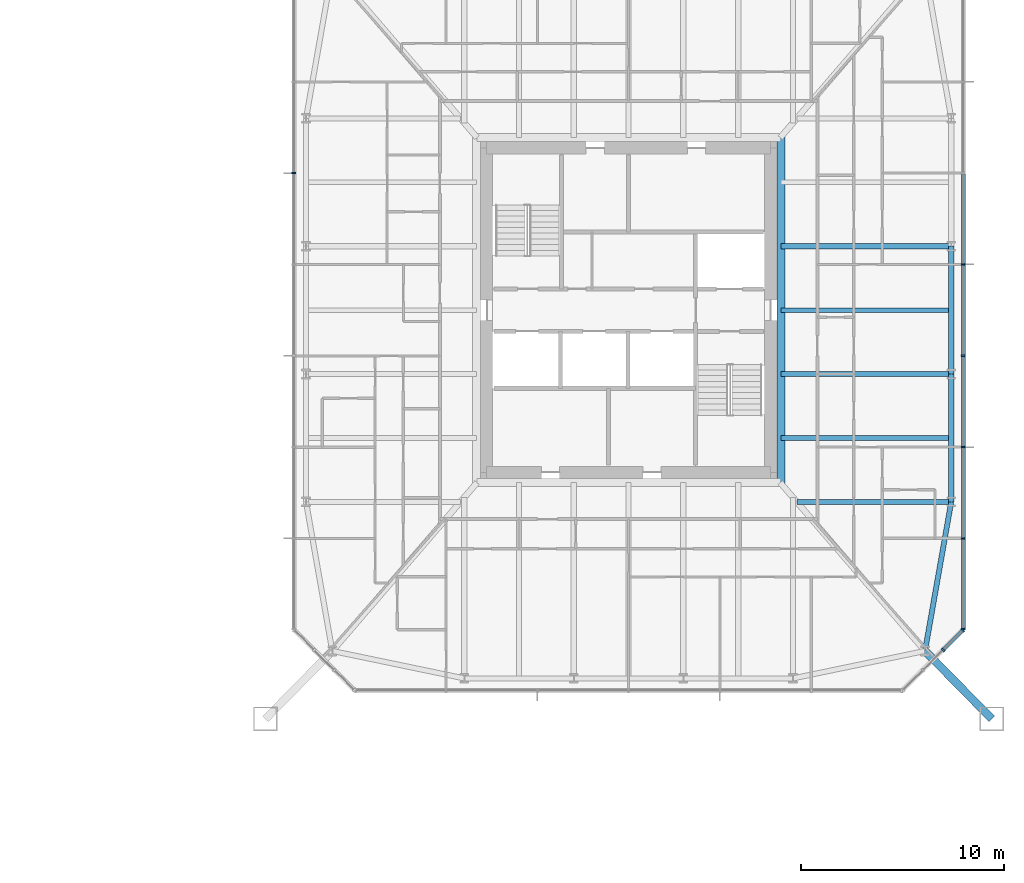
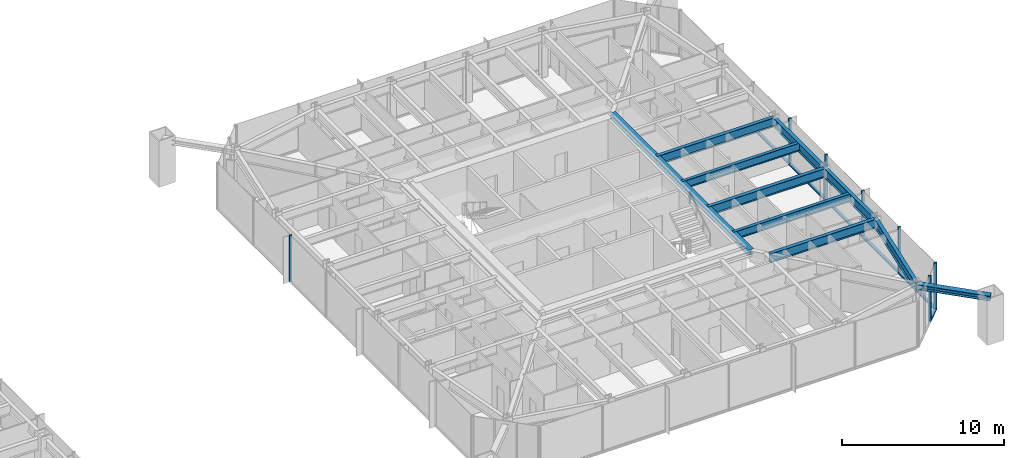
# One storey, part 9 of 26: 15 members, 9 beams, 3 elements without a shape of their own.
"""IFC4 building model written with IfcOpenShell, lengths in metres."""

from ifc_helpers import new_model, si_unit, direction, frame, origin, origin_2d, place, context, subcontext, project, spatial, rectangle, i_section, extrude, material, material_profile, profile_set, type_object, element, aggregate, save


model = new_model("IFC4")

# Units and contexts
model_context = context("Model", 3, precision=1e-05, world=origin(), true_north=direction((0.0, 1.0)))
body_context = subcontext(model_context, "Body", "Model", "MODEL_VIEW")
ifc_project = project(units=[si_unit("LENGTHUNIT", "METRE"), si_unit("AREAUNIT", "SQUARE_METRE"), si_unit("VOLUMEUNIT", "CUBIC_METRE"), si_unit("PLANEANGLEUNIT", "RADIAN"), si_unit("MASSUNIT", "GRAM", prefix="KILO")], contexts=[model_context])

# Site, building, storey
site_placement = place(None, origin())
site = spatial("IfcSite", under=ifc_project, at=site_placement, CompositionType="ELEMENT")
building_placement = place(site_placement, origin())
building = spatial("IfcBuilding", under=site, at=building_placement, Name="Iwan Alto Co-Living Towers", CompositionType="ELEMENT")
storey_placement = place(building_placement, frame((0.0, 0.0, 46.5)))
storey = spatial("IfcBuildingStorey", under=building, at=storey_placement, Name="L12", CompositionType="ELEMENT", Elevation=46.5)

# Curtain wall, members
ifc_material_1 = material(Name="Bronze aluminium unitised frame", Category="aluminium")
curtain_wall_type_1 = type_object("IfcCurtainWallType", Name="CURTAIN WALL CW-C", PredefinedType="NOTDEFINED", material=ifc_material_1)
curtain_wall_1_placement = place(storey_placement, origin())
curtain_wall_1 = element("IfcCurtainWall", 1, at=curtain_wall_1_placement, inside=storey, type_object=curtain_wall_type_1, Name="T2 curtain wall E L12", PredefinedType="NOTDEFINED")
ifc_material_2 = material(Name="Aluminium 6063-T6 bronze anodised", Category="aluminium")
ifc_material_profile_1 = material_profile(ifc_material_2, rectangle(XDim=0.199951171875, YDim=0.080078125, at=origin_2d()), Name="AL 80X200")
ifc_profile_set_1 = profile_set([ifc_material_profile_1], Name="Aluminium 6063-T6 bronze anodised")
member_type_1 = type_object("IfcMemberType", Name="CW-C MULLION 80X200", PredefinedType="MULLION", material=ifc_profile_set_1)
member_1_placement = place(storey_placement, frame((79.5, -15.7099609375, 0.0), z_axis=(0.0, 0.0, 1.0), x_axis=(-1.0, 0.0, 0.0)))
member_1 = element("IfcMember", 2, at=member_1_placement, type_object=member_type_1, Name="CW-C mullion 1", PredefinedType="MULLION", context=body_context, shape_type="SweptSolid", body=[
    extrude(rectangle(XDim=0.199951171875, YDim=0.080078125, at=origin_2d()), origin(), (0.0, 0.0, 1.0), 3.5),
])
member_2_placement = place(storey_placement, frame((79.5, -11.25, 0.0), z_axis=(0.0, 0.0, 1.0), x_axis=(-1.0, 0.0, 0.0)))
member_2 = element("IfcMember", 3, at=member_2_placement, type_object=member_type_1, Name="CW-C mullion 2", PredefinedType="MULLION", context=body_context, shape_type="SweptSolid", body=[
    extrude(rectangle(XDim=0.199951171875, YDim=0.080078125, at=origin_2d()), origin(), (0.0, 0.0, 1.0), 3.5),
])
member_3_placement = place(storey_placement, frame((79.5, -6.75, 0.0), z_axis=(0.0, 0.0, 1.0), x_axis=(-1.0, 0.0, 0.0)))
member_3 = element("IfcMember", 4, at=member_3_placement, type_object=member_type_1, Name="CW-C mullion 3", PredefinedType="MULLION", context=body_context, shape_type="SweptSolid", body=[
    extrude(rectangle(XDim=0.199951171875, YDim=0.080078125, at=origin_2d()), origin(), (0.0, 0.0, 1.0), 3.5),
])
member_4_placement = place(storey_placement, frame((79.5, -2.25, 0.0), z_axis=(0.0, 0.0, 1.0), x_axis=(-1.0, 0.0, 0.0)))
member_4 = element("IfcMember", 5, at=member_4_placement, type_object=member_type_1, Name="CW-C mullion 4", PredefinedType="MULLION", context=body_context, shape_type="SweptSolid", body=[
    extrude(rectangle(XDim=0.199951171875, YDim=0.080078125, at=origin_2d()), origin(), (0.0, 0.0, 1.0), 3.5),
])
member_5_placement = place(storey_placement, frame((79.5, 2.25, 0.0), z_axis=(0.0, 0.0, 1.0), x_axis=(-1.0, 0.0, 0.0)))
member_5 = element("IfcMember", 6, at=member_5_placement, type_object=member_type_1, Name="CW-C mullion 5", PredefinedType="MULLION", context=body_context, shape_type="SweptSolid", body=[
    extrude(rectangle(XDim=0.199951171875, YDim=0.080078125, at=origin_2d()), origin(), (0.0, 0.0, 1.0), 3.5),
])

# Curtain wall, member
curtain_wall_2_placement = place(storey_placement, origin())
curtain_wall_2 = element("IfcCurtainWall", 7, at=curtain_wall_2_placement, inside=storey, type_object=curtain_wall_type_1, Name="T2 curtain wall W L12", PredefinedType="NOTDEFINED")
member_6_placement = place(storey_placement, frame((46.5, 6.75, 0.0), z_axis=(0.0, 0.0, 1.0), x_axis=(1.0, 0.0, 0.0)))
member_6 = element("IfcMember", 8, at=member_6_placement, type_object=member_type_1, Name="CW-C mullion 3", PredefinedType="MULLION", context=body_context, shape_type="SweptSolid", body=[
    extrude(rectangle(XDim=0.199951171875, YDim=0.080078125, at=origin_2d()), origin(), (0.0, 0.0, 1.0), 3.5),
])
aggregate(curtain_wall_2, [member_6])

# Member
ifc_material_3 = material(Name="Aluminium 6063-T6 bronze anodised", Category="aluminium")
ifc_material_profile_2 = material_profile(ifc_material_3, rectangle(XDim=0.199951171875, YDim=0.10009765625, at=origin_2d()), Name="AL 200X100")
ifc_profile_set_2 = profile_set([ifc_material_profile_2], Name="Aluminium 6063-T6 bronze anodised")
member_type_2 = type_object("IfcMemberType", Name="CW-C TRANSOM 200X100", PredefinedType="USERDEFINED", material=ifc_profile_set_2)
member_7_placement = place(storey_placement, frame((79.5, -15.669921875, 0.050048828125), z_axis=(0.0, 1.0, 0.0), x_axis=(-1.0, 0.0, 0.0)))
member_7 = element("IfcMember", 9, at=member_7_placement, type_object=member_type_2, Name="CW-C transom 1.1", ObjectType="TRANSOM", PredefinedType="USERDEFINED", context=body_context, shape_type="SweptSolid", body=[
    extrude(rectangle(XDim=0.199951171875, YDim=0.10009765625, at=origin_2d()), origin(), (0.0, 0.0, 1.0), 4.3798828125),
])

member_8_placement = place(storey_placement, frame((79.5, -11.2099609375, 0.050048828125), z_axis=(0.0, 1.0, 0.0), x_axis=(-1.0, 0.0, 0.0)))
member_8 = element("IfcMember", 10, at=member_8_placement, type_object=member_type_2, Name="CW-C transom 2.1", ObjectType="TRANSOM", PredefinedType="USERDEFINED", context=body_context, shape_type="SweptSolid", body=[
    extrude(rectangle(XDim=0.199951171875, YDim=0.10009765625, at=origin_2d()), origin(), (0.0, 0.0, 1.0), 4.419921875),
])

member_9_placement = place(storey_placement, frame((79.5, -6.7099609375, 0.050048828125), z_axis=(0.0, 1.0, 0.0), x_axis=(-1.0, 0.0, 0.0)))
member_9 = element("IfcMember", 11, at=member_9_placement, type_object=member_type_2, Name="CW-C transom 3.1", ObjectType="TRANSOM", PredefinedType="USERDEFINED", context=body_context, shape_type="SweptSolid", body=[
    extrude(rectangle(XDim=0.199951171875, YDim=0.10009765625, at=origin_2d()), origin(), (0.0, 0.0, 1.0), 4.419921875),
])

member_10_placement = place(storey_placement, frame((79.5, -2.2099609375, 0.050048828125), z_axis=(0.0, 1.0, 0.0), x_axis=(-1.0, 0.0, 0.0)))
member_10 = element("IfcMember", 12, at=member_10_placement, type_object=member_type_2, Name="CW-C transom 4.1", ObjectType="TRANSOM", PredefinedType="USERDEFINED", context=body_context, shape_type="SweptSolid", body=[
    extrude(rectangle(XDim=0.199951171875, YDim=0.10009765625, at=origin_2d()), origin(), (0.0, 0.0, 1.0), 4.419921875),
])

member_11_placement = place(storey_placement, frame((79.5, 2.2900390625, 0.050048828125), z_axis=(0.0, 1.0, 0.0), x_axis=(-1.0, 0.0, 0.0)))
member_11 = element("IfcMember", 13, at=member_11_placement, type_object=member_type_2, Name="CW-C transom 5.1", ObjectType="TRANSOM", PredefinedType="USERDEFINED", context=body_context, shape_type="SweptSolid", body=[
    extrude(rectangle(XDim=0.199951171875, YDim=0.10009765625, at=origin_2d()), origin(), (0.0, 0.0, 1.0), 4.419921875),
])

aggregate(curtain_wall_1, [member_1, member_2, member_3, member_4, member_5, member_7, member_8, member_9, member_10, member_11])

# Curtain wall, members
ifc_material_4 = material(Name="Bronze aluminium unitised frame", Category="aluminium")
curtain_wall_type_2 = type_object("IfcCurtainWallType", Name="CURTAIN WALL CW-D", PredefinedType="NOTDEFINED", material=ifc_material_4)
curtain_wall_3_placement = place(storey_placement, origin())
curtain_wall_3 = element("IfcCurtainWall", 14, at=curtain_wall_3_placement, inside=storey, type_object=curtain_wall_type_2, Name="T2 chamfer curtain wall SE L12", PredefinedType="NOTDEFINED")
ifc_material_5 = material(Name="Aluminium 6063-T6 bronze anodised", Category="aluminium")
ifc_material_profile_3 = material_profile(ifc_material_5, rectangle(XDim=0.199951171875, YDim=0.080078125, at=origin_2d()), Name="AL 80X200")
ifc_profile_set_3 = profile_set([ifc_material_profile_3], Name="Aluminium 6063-T6 bronze anodised")
member_type_3 = type_object("IfcMemberType", Name="CW-D MULLION 80X200", PredefinedType="MULLION", material=ifc_profile_set_3)
member_12_placement = place(storey_placement, frame((78.5, -16.75, 0.0), z_axis=(0.0, 0.0, 1.0), x_axis=(-0.707106781187, 0.707106781187, 0.0)))
member_12 = element("IfcMember", 15, at=member_12_placement, type_object=member_type_3, Name="CW-D mullion 3", PredefinedType="MULLION", context=body_context, shape_type="SweptSolid", body=[
    extrude(rectangle(XDim=0.199951171875, YDim=0.080078125, at=origin_2d()), origin(), (0.0, 0.0, 1.0), 3.5),
])
member_13_placement = place(storey_placement, frame((79.4716796875, -15.7783203125, 0.0), z_axis=(0.0, 0.0, 1.0), x_axis=(-0.707106781187, 0.707106781187, 0.0)))
member_13 = element("IfcMember", 16, at=member_13_placement, type_object=member_type_3, Name="CW-D mullion 4", PredefinedType="MULLION", context=body_context, shape_type="SweptSolid", body=[
    extrude(rectangle(XDim=0.199951171875, YDim=0.080078125, at=origin_2d()), origin(), (0.0, 0.0, 1.0), 3.5),
])
ifc_material_6 = material(Name="Aluminium 6063-T6 bronze anodised", Category="aluminium")
ifc_material_profile_4 = material_profile(ifc_material_6, rectangle(XDim=0.199951171875, YDim=0.10009765625, at=origin_2d()), Name="AL 200X100")
ifc_profile_set_4 = profile_set([ifc_material_profile_4], Name="Aluminium 6063-T6 bronze anodised")
member_type_4 = type_object("IfcMemberType", Name="CW-D TRANSOM 200X100", PredefinedType="USERDEFINED", material=ifc_profile_set_4)
member_14_placement = place(storey_placement, frame((78.5283203125, -16.7216796875, 0.050048828125), z_axis=(0.707106781187, 0.707106781187, 0.0), x_axis=(-0.707106781187, 0.707106781187, 0.0)))
member_14 = element("IfcMember", 17, at=member_14_placement, type_object=member_type_4, Name="CW-D transom 3.1", ObjectType="TRANSOM", PredefinedType="USERDEFINED", context=body_context, shape_type="SweptSolid", body=[
    extrude(rectangle(XDim=0.199951171875, YDim=0.10009765625, at=origin_2d()), origin(), (0.0, 0.0, 1.0), 1.2939453125),
])
aggregate(curtain_wall_3, [member_12, member_13, member_14])

# Beams
ifc_material_7 = material(Name="Steel ASTM A992 Gr 50", Category="steel")
ifc_material_profile_5 = material_profile(ifc_material_7, i_section(OverallWidth=0.40380859375, OverallDepth=0.406494140625, WebThickness=0.027099609375, FlangeThickness=0.043701171875, at=origin_2d()), Name="W14X233")
ifc_profile_set_5 = profile_set([ifc_material_profile_5], Name="Steel ASTM A992 Gr 50")
beam_type_1 = type_object("IfcBeamType", Name="T2 CORE LEDGER BEAM W14X233", PredefinedType="BEAM", material=ifc_profile_set_5)
beam_1_placement = place(storey_placement, frame((70.501953125, -8.534912109375, 3.06689453125), z_axis=(0.0, 1.0, 0.0), x_axis=(-1.0, 0.0, 0.0)))
element("IfcBeam", 18, at=beam_1_placement, inside=storey, type_object=beam_type_1, Name="T2 core ledger beam E L13", PredefinedType="BEAM", context=body_context, shape_type="SweptSolid", body=[
    extrude(i_section(OverallWidth=0.40380859375, OverallDepth=0.406494140625, WebThickness=0.027099609375, FlangeThickness=0.043701171875, at=origin_2d()), origin(), (0.0, 0.0, 1.0), 17.06982421875),
])
ifc_material_8 = material(Name="Steel ASTM A992 Gr 50", Category="steel")
ifc_material_profile_6 = material_profile(ifc_material_8, i_section(OverallWidth=0.25390625, OverallDepth=0.683349609375, WebThickness=0.012451171875, FlangeThickness=0.018798828125, at=origin_2d()), Name="W27X94")
ifc_profile_set_6 = profile_set([ifc_material_profile_6], Name="Steel ASTM A992 Gr 50")
beam_type_2 = type_object("IfcBeamType", Name="T2 EDGE BEAM W27X94", PredefinedType="BEAM", material=ifc_profile_set_6)
beam_2_placement = place(storey_placement, frame((77.606201171875, -16.797119140625, 2.928466796875), z_axis=(0.173413807283, 0.98484905008, 0.0), x_axis=(-0.98484905008, 0.173413807283, 0.0)))
element("IfcBeam", 19, at=beam_2_placement, inside=storey, type_object=beam_type_2, Name="T2 edge beam CSE L13", PredefinedType="BEAM", context=body_context, shape_type="SweptSolid", body=[
    extrude(i_section(OverallWidth=0.25390625, OverallDepth=0.683349609375, WebThickness=0.012451171875, FlangeThickness=0.018798828125, at=origin_2d()), origin(), (0.0, 0.0, 1.0), 7.460205078125),
])
beam_3_placement = place(storey_placement, frame((78.89990234375, -9.449951171875, 2.928466796875), z_axis=(0.0, 1.0, 0.0), x_axis=(-1.0, 0.0, 0.0)))
element("IfcBeam", 20, at=beam_3_placement, inside=storey, type_object=beam_type_2, Name="T2 edge beam E1 L13", PredefinedType="BEAM", context=body_context, shape_type="SweptSolid", body=[
    extrude(i_section(OverallWidth=0.25390625, OverallDepth=0.683349609375, WebThickness=0.012451171875, FlangeThickness=0.018798828125, at=origin_2d()), origin(), (0.0, 0.0, 1.0), 6.300048828125),
])
beam_4_placement = place(storey_placement, frame((78.89990234375, -3.14990234375, 2.928466796875), z_axis=(0.0, 1.0, 0.0), x_axis=(-1.0, 0.0, 0.0)))
element("IfcBeam", 21, at=beam_4_placement, inside=storey, type_object=beam_type_2, Name="T2 edge beam E2 L13", PredefinedType="BEAM", context=body_context, shape_type="SweptSolid", body=[
    extrude(i_section(OverallWidth=0.25390625, OverallDepth=0.683349609375, WebThickness=0.012451171875, FlangeThickness=0.018798828125, at=origin_2d()), origin(), (0.0, 0.0, 1.0), 6.2998046875),
])

# Member
ifc_material_9 = material(Name="Steel ASTM A992 Gr 50", Category="steel")
ifc_material_profile_7 = material_profile(ifc_material_9, i_section(OverallWidth=0.393798828125, OverallDepth=0.3759765625, WebThickness=0.017333984375, FlangeThickness=0.027587890625, at=origin_2d()), Name="W14X145")
ifc_profile_set_7 = profile_set([ifc_material_profile_7], Name="Steel ASTM A992 Gr 50")
member_type_5 = type_object("IfcMemberType", Name="T2 MEGA COLUMN FLOOR TIE W14X145", PredefinedType="STRUT", material=ifc_profile_set_7)
member_15_placement = place(storey_placement, frame((80.89990234375, -20.14990234375, 3.08203125), z_axis=(-0.700793469544, 0.71336422187, 0.0), x_axis=(-0.71336422187, -0.700793469544, 0.0)))
element("IfcMember", 22, at=member_15_placement, inside=storey, type_object=member_type_5, Name="T2 mega column floor tie SE L13", PredefinedType="STRUT", context=body_context, shape_type="SweptSolid", body=[
    extrude(i_section(OverallWidth=0.393798828125, OverallDepth=0.3759765625, WebThickness=0.017333984375, FlangeThickness=0.027587890625, at=origin_2d()), origin(), (0.0, 0.0, 1.0), 4.699951171875),
])

# Beams
ifc_material_10 = material(Name="Steel ASTM A992 Gr 50", Category="steel")
ifc_material_profile_8 = material_profile(ifc_material_10, i_section(OverallWidth=0.25390625, OverallDepth=0.683349609375, WebThickness=0.012451171875, FlangeThickness=0.018798828125, at=origin_2d()), Name="W27X94")
ifc_profile_set_8 = profile_set([ifc_material_profile_8], Name="Steel ASTM A992 Gr 50")
beam_type_3 = type_object("IfcBeamType", Name="T2 RADIAL BEAM W27X94", PredefinedType="BEAM", material=ifc_profile_set_8)
beam_5_placement = place(storey_placement, frame((78.89990234375, -9.449951171875, 2.928466796875), z_axis=(-1.0, 0.0, 0.0), x_axis=(0.0, -1.0, 0.0)))
element("IfcBeam", 23, at=beam_5_placement, inside=storey, type_object=beam_type_3, Name="T2 radial beam E1 L13", PredefinedType="BEAM", context=body_context, shape_type="SweptSolid", body=[
    extrude(i_section(OverallWidth=0.25390625, OverallDepth=0.683349609375, WebThickness=0.012451171875, FlangeThickness=0.018798828125, at=origin_2d()), origin(), (0.0, 0.0, 1.0), 7.611083984375),
])
for number, where, z_axis, x_axis, name in (
    (24, (78.89990234375, -3.14990234375, 2.928466796875), (-1.0, 0.0, 0.0), (0.0, -1.0, 0.0), "T2 radial beam E2 L13"),
    (25, (78.89990234375, 3.14990234375, 2.928466796875), (-1.0, 0.0, 0.0), (0.0, -1.0, 0.0), "T2 radial beam E3 L13"),
):
    element("IfcBeam", number, at=place(storey_placement, frame(where, z_axis=z_axis, x_axis=x_axis)), inside=storey, type_object=beam_type_3, Name=name, PredefinedType="BEAM", context=body_context, shape_type="SweptSolid", body=[
        extrude(i_section(OverallWidth=0.25390625, OverallDepth=0.683349609375, WebThickness=0.012451171875, FlangeThickness=0.018798828125, at=origin_2d()), origin(), (0.0, 0.0, 1.0), 8.39794921875),
    ])
ifc_material_11 = material(Name="Steel ASTM A992 Gr 50", Category="steel")
ifc_material_profile_9 = material_profile(ifc_material_11, i_section(OverallWidth=0.228271484375, OverallDepth=0.607177734375, WebThickness=0.01123046875, FlangeThickness=0.017333984375, at=origin_2d()), Name="W24X76")
ifc_profile_set_9 = profile_set([ifc_material_profile_9], Name="Steel ASTM A992 Gr 50")
beam_type_4 = type_object("IfcBeamType", Name="T2 SECONDARY BEAM W24X76", PredefinedType="JOIST", material=ifc_profile_set_9)
for number, where, z_axis, x_axis, name in (
    (26, (78.89990234375, -6.300048828125, 2.966552734375), (-1.0, 0.0, 0.0), (0.0, -1.0, 0.0), "T2 secondary beam E1 L13"),
    (27, (78.89990234375, 0.0, 2.966552734375), (-1.0, 0.0, 0.0), (0.0, -1.0, 0.0), "T2 secondary beam E2 L13"),
):
    element("IfcBeam", number, at=place(storey_placement, frame(where, z_axis=z_axis, x_axis=x_axis)), inside=storey, type_object=beam_type_4, Name=name, PredefinedType="JOIST", context=body_context, shape_type="SweptSolid", body=[
        extrude(i_section(OverallWidth=0.228271484375, OverallDepth=0.607177734375, WebThickness=0.01123046875, FlangeThickness=0.017333984375, at=origin_2d()), origin(), (0.0, 0.0, 1.0), 8.39794921875),
    ])

save(model, "model.ifc")
